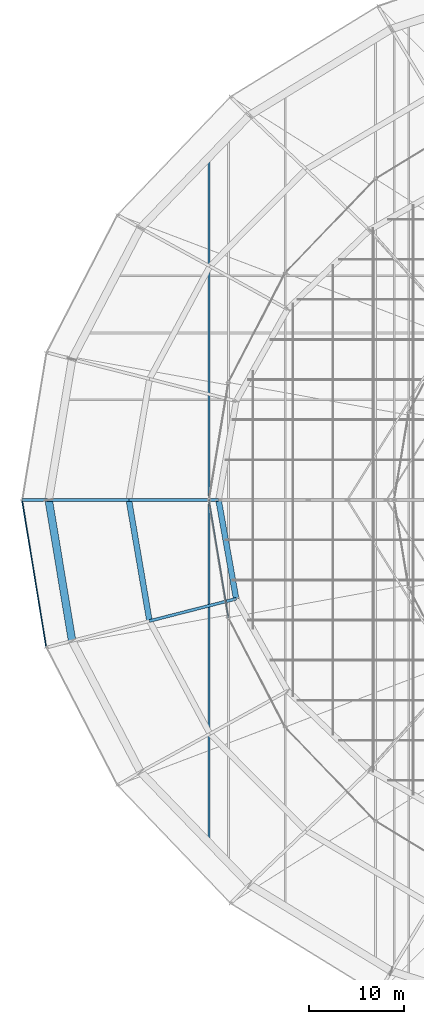
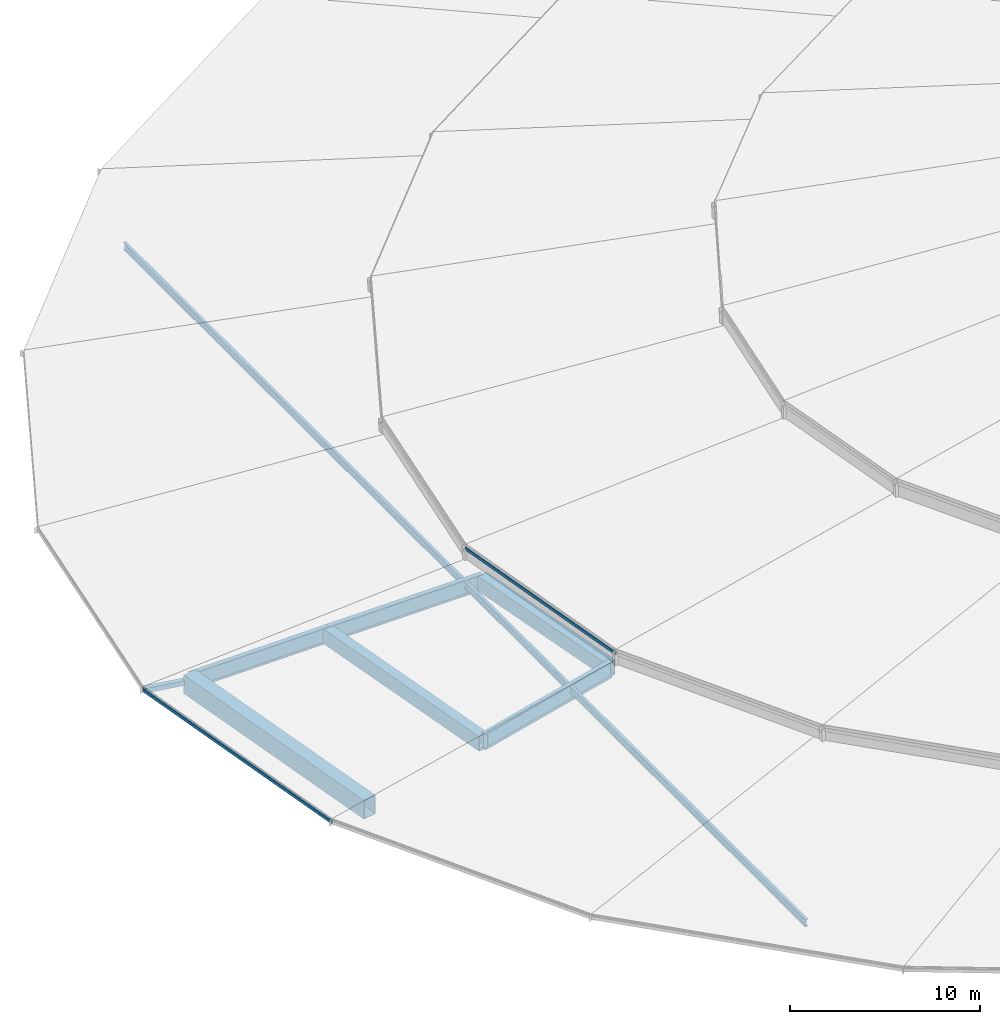
# One storey, part 6 of 184: 6 beams, 4 members.
"""IFC4 building model written with IfcOpenShell, lengths in metres."""

from ifc_helpers import new_model, si_unit, direction, frame, origin, origin_2d, place, context, subcontext, project, spatial, hollow_rectangle, i_section, extrude, material, material_profile, profile_set, type_object, element, save


model = new_model("IFC4")

# Units and contexts
model_context = context("Model", 3, precision=1e-05, world=origin(), true_north=direction((0.0, 1.0)))
body_context = subcontext(model_context, "Body", "Model", "MODEL_VIEW")
ifc_project = project(units=[si_unit("LENGTHUNIT", "METRE"), si_unit("AREAUNIT", "SQUARE_METRE"), si_unit("VOLUMEUNIT", "CUBIC_METRE"), si_unit("PLANEANGLEUNIT", "RADIAN"), si_unit("MASSUNIT", "GRAM", prefix="KILO")], contexts=[model_context])

# Site, building, storey
site_placement = place(None, origin())
site = spatial("IfcSite", under=ifc_project, at=site_placement, CompositionType="ELEMENT")
building_placement = place(site_placement, origin())
building = spatial("IfcBuilding", under=site, at=building_placement, Name="Kalgoora Escarpment Arena", CompositionType="ELEMENT")
storey_placement = place(building_placement, frame((0.0, 0.0, 27.60009765625)))
storey = spatial("IfcBuildingStorey", under=building, at=storey_placement, Name="Roof Level", CompositionType="ELEMENT", Elevation=27.60009765625)

# Beams
ifc_material_1 = material(Name="Structural steel Grade 350 (350 MPa)", Category="steel")
ifc_material_profile_1 = material_profile(ifc_material_1, hollow_rectangle(XDim=0.800048828125, YDim=1.199951171875, WallThickness=0.031982421875, at=origin_2d()))
ifc_profile_set_1 = profile_set([ifc_material_profile_1], Name="Structural steel Grade 350 (350 MPa)")
beam_type_1 = type_object("IfcBeamType", Name="BM-RING-BOX1200", PredefinedType="USERDEFINED", material=ifc_profile_set_1)
beam_1_placement = place(storey_placement, frame((20.60009765625, 64.0, -1.4501953125), z_axis=(0.163586163215, -0.98652905036, 0.0), x_axis=(0.98652905036, 0.163586163215, 0.0)))
element("IfcBeam", 1, at=beam_1_placement, inside=storey, type_object=beam_type_1, Name="Outer perimeter compression RING BEAM chord 13", ObjectType="GIRDER", PredefinedType="USERDEFINED", context=body_context, shape_type="SweptSolid", body=[
    extrude(hollow_rectangle(XDim=0.800048828125, YDim=1.199951171875, WallThickness=0.031982421875, at=origin_2d()), origin(), (0.0, 0.0, 1.0), 14.9541015625),
])
ifc_material_2 = material(Name="Structural steel Grade 350 (350 MPa)", Category="steel")
ifc_material_profile_2 = material_profile(ifc_material_2, hollow_rectangle(XDim=0.60009765625, YDim=0.949951171875, WallThickness=0.02490234375, at=origin_2d()))
ifc_profile_set_2 = profile_set([ifc_material_profile_2], Name="Structural steel Grade 350 (350 MPa)")
beam_type_2 = type_object("IfcBeamType", Name="BM-RING-BOX950", PredefinedType="USERDEFINED", material=ifc_profile_set_2)
beam_2_placement = place(storey_placement, frame((29.0, 64.0, -1.35009765625), z_axis=(0.167930802249, -0.985798785583, 0.0), x_axis=(0.985798785583, 0.167930802249, 0.0)))
element("IfcBeam", 2, at=beam_2_placement, inside=storey, type_object=beam_type_2, Name="Concourse roof RING BEAM chord 13", ObjectType="GIRDER", PredefinedType="USERDEFINED", context=body_context, shape_type="SweptSolid", body=[
    extrude(hollow_rectangle(XDim=0.60009765625, YDim=0.949951171875, WallThickness=0.02490234375, at=origin_2d()), origin(), (0.0, 0.0, 1.0), 12.86474609375),
])
beam_3_placement = place(storey_placement, frame((38.39990234375, 64.0, -1.25), z_axis=(0.174995823084, -0.984569175784, 0.0), x_axis=(0.984569175784, 0.174995823084, 0.0)))
element("IfcBeam", 3, at=beam_3_placement, inside=storey, type_object=beam_type_2, Name="Bowl compression RING BEAM chord 13", ObjectType="GIRDER", PredefinedType="USERDEFINED", context=body_context, shape_type="SweptSolid", body=[
    extrude(hollow_rectangle(XDim=0.60009765625, YDim=0.949951171875, WallThickness=0.02490234375, at=origin_2d()), origin(), (0.0, 0.0, 1.0), 10.51513671875),
])
ifc_material_3 = material(Name="Structural steel Grade 350 (350 MPa)", Category="steel")
ifc_material_profile_3 = material_profile(ifc_material_3, i_section(OverallWidth=0.300048828125, OverallDepth=1.010009765625, WebThickness=0.01611328125, FlangeThickness=0.030029296875, at=origin_2d()))
ifc_profile_set_3 = profile_set([ifc_material_profile_3], Name="Structural steel Grade 350 (350 MPa)")
beam_type_3 = type_object("IfcBeamType", Name="BM-TRUSS-CHORD", PredefinedType="USERDEFINED", material=ifc_profile_set_3)
beam_4_placement = place(storey_placement, frame((20.60009765625, 64.0, -1.400146484375), z_axis=(0.999929005763, 0.0, 0.011915680183), x_axis=(0.0, 1.0, 0.0)))
element("IfcBeam", 4, at=beam_4_placement, inside=storey, type_object=beam_type_3, Name="Outer radial petal support girder R13", ObjectType="GIRDER", PredefinedType="USERDEFINED", context=body_context, shape_type="SweptSolid", body=[
    extrude(i_section(OverallWidth=0.300048828125, OverallDepth=1.010009765625, WebThickness=0.01611328125, FlangeThickness=0.030029296875, at=origin_2d()), origin(), (0.0, 0.0, 1.0), 8.400390625),
])
beam_5_placement = place(storey_placement, frame((29.0, 64.0, -1.300048828125), z_axis=(0.999943582572, 0.0, 0.010622225476), x_axis=(0.0, 1.0, 0.0)))
element("IfcBeam", 5, at=beam_5_placement, inside=storey, type_object=beam_type_3, Name="Inner radial petal support girder R13", ObjectType="GIRDER", PredefinedType="USERDEFINED", context=body_context, shape_type="SweptSolid", body=[
    extrude(i_section(OverallWidth=0.300048828125, OverallDepth=1.010009765625, WebThickness=0.01611328125, FlangeThickness=0.030029296875, at=origin_2d()), origin(), (0.0, 0.0, 1.0), 9.400390625),
])
beam_6_placement = place(storey_placement, frame((31.160400390625, 51.31787109375, -1.300048828125), z_axis=(0.968576929059, 0.248485949991, 0.010652002258), x_axis=(-0.248500048438, 0.9686318836, 0.0)))
element("IfcBeam", 6, at=beam_6_placement, inside=storey, type_object=beam_type_3, Name="Inner radial petal support girder R14", ObjectType="GIRDER", PredefinedType="USERDEFINED", context=body_context, shape_type="SweptSolid", body=[
    extrude(i_section(OverallWidth=0.300048828125, OverallDepth=1.010009765625, WebThickness=0.01611328125, FlangeThickness=0.030029296875, at=origin_2d()), origin(), (0.0, 0.0, 1.0), 9.374267578125),
])

# Members
ifc_material_4 = material(Name="Structural steel AS/NZS 3679 (300 MPa)", Category="steel")
ifc_material_profile_4 = material_profile(ifc_material_4, i_section(OverallWidth=0.19091796875, OverallDepth=0.4599609375, WebThickness=0.010009765625, FlangeThickness=0.01611328125, at=origin_2d()))
ifc_profile_set_4 = profile_set([ifc_material_profile_4], Name="Structural steel AS/NZS 3679 (300 MPa)")
member_type_1 = type_object("IfcMemberType", Name="MEM-CARRIER-CHORD", PredefinedType="CHORD", material=ifc_profile_set_4)
member_1_placement = place(storey_placement, frame((37.39990234375, 28.07080078125, -1.080078125), z_axis=(0.0, 1.0, 0.0), x_axis=(-1.0, 0.0, 0.0)))
element("IfcMember", 7, at=member_1_placement, inside=storey, type_object=member_type_1, Name="Petal RP2 spanning carrier chord C13", PredefinedType="CHORD", context=body_context, shape_type="SweptSolid", body=[
    extrude(i_section(OverallWidth=0.19091796875, OverallDepth=0.4599609375, WebThickness=0.010009765625, FlangeThickness=0.01611328125, at=origin_2d()), origin(), (0.0, 0.0, 1.0), 71.8583984375),
])
ifc_material_5 = material(Name="Structural steel C350 (350 MPa)", Category="steel")
ifc_material_profile_5 = material_profile(ifc_material_5, hollow_rectangle(XDim=0.10009765625, YDim=0.199951171875, WallThickness=0.009033203125, at=origin_2d()))
ifc_profile_set_5 = profile_set([ifc_material_profile_5], Name="Structural steel C350 (350 MPa)")
member_type_2 = type_object("IfcMemberType", Name="MEM-PURLIN-RHS", PredefinedType="PURLIN", material=ifc_profile_set_5)
member_2_placement = place(storey_placement, frame((17.800048828125, 64.0, -1.02001953125), z_axis=(0.162053584374, -0.9867819596, 0.0), x_axis=(0.9867819596, 0.162053584374, 0.0)))
element("IfcMember", 8, at=member_2_placement, inside=storey, type_object=member_type_2, Name="Petal RP1 eave support ring purlin S13", PredefinedType="PURLIN", context=body_context, shape_type="SweptSolid", body=[
    extrude(hollow_rectangle(XDim=0.10009765625, YDim=0.199951171875, WallThickness=0.009033203125, at=origin_2d()), origin(), (0.0, 0.0, 1.0), 15.6845703125),
])
member_3_placement = place(storey_placement, frame((37.39990234375, 64.0, 1.244873046875), z_axis=(0.162661160172, -0.986681988774, 0.0), x_axis=(0.986681988774, 0.162661160172, 0.0)))
element("IfcMember", 9, at=member_3_placement, inside=storey, type_object=member_type_2, Name="Petal RP2 eave support ring purlin S13", PredefinedType="PURLIN", context=body_context, shape_type="SweptSolid", body=[
    extrude(hollow_rectangle(XDim=0.10009765625, YDim=0.199951171875, WallThickness=0.009033203125, at=origin_2d()), origin(), (0.0, 0.0, 1.0), 12.486083984375),
])
ifc_material_6 = material(Name="Structural steel C450 (450 MPa)", Category="steel")
ifc_material_profile_6 = material_profile(ifc_material_6, hollow_rectangle(XDim=0.300048828125, YDim=0.300048828125, WallThickness=0.012451171875, at=origin_2d()))
ifc_profile_set_6 = profile_set([ifc_material_profile_6], Name="Structural steel C450 (450 MPa)")
member_type_3 = type_object("IfcMemberType", Name="MEM-TRUSS-POST", PredefinedType="POST", material=ifc_profile_set_6)
member_4_placement = place(storey_placement, frame((20.60009765625, 64.0, -1.400146484375), z_axis=(-0.98994258731, 0.0, 0.141469692266), x_axis=(0.0, -1.0, 0.0)))
element("IfcMember", 10, at=member_4_placement, inside=storey, type_object=member_type_3, Name="Petal RP1 eave strut S13", PredefinedType="POST", context=body_context, shape_type="SweptSolid", body=[
    extrude(hollow_rectangle(XDim=0.300048828125, YDim=0.300048828125, WallThickness=0.012451171875, at=origin_2d()), origin(), (0.0, 0.0, 1.0), 2.82861328125),
])

save(model, "model.ifc")
